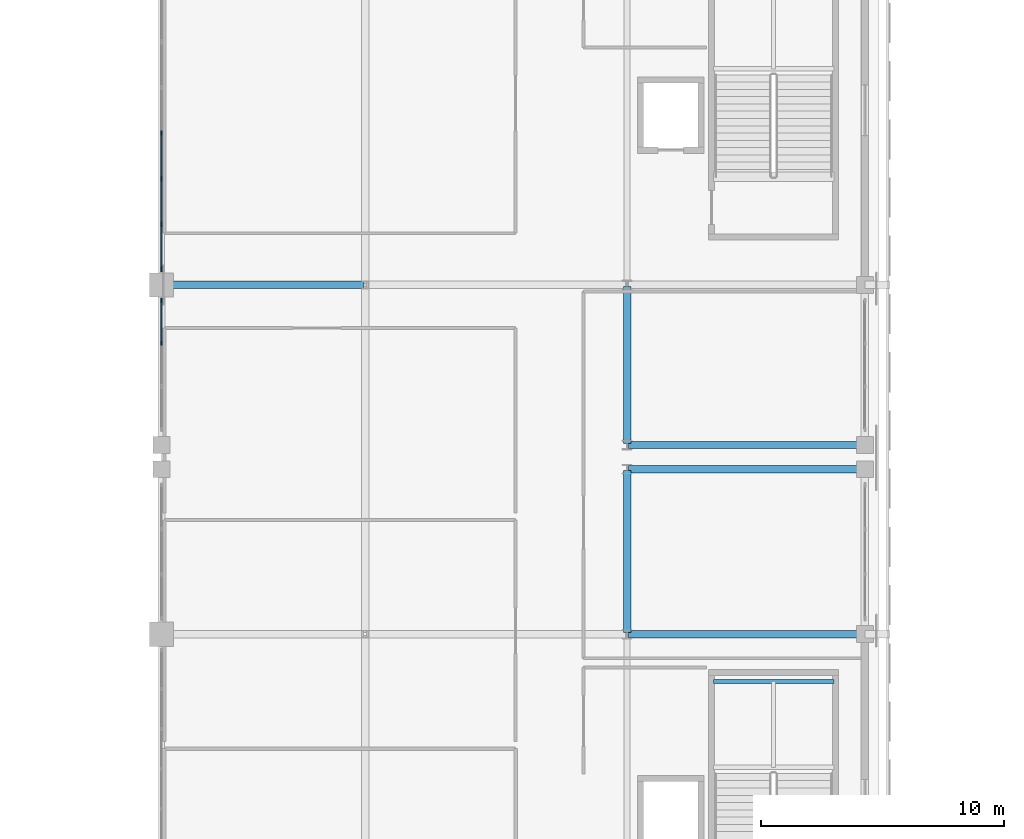
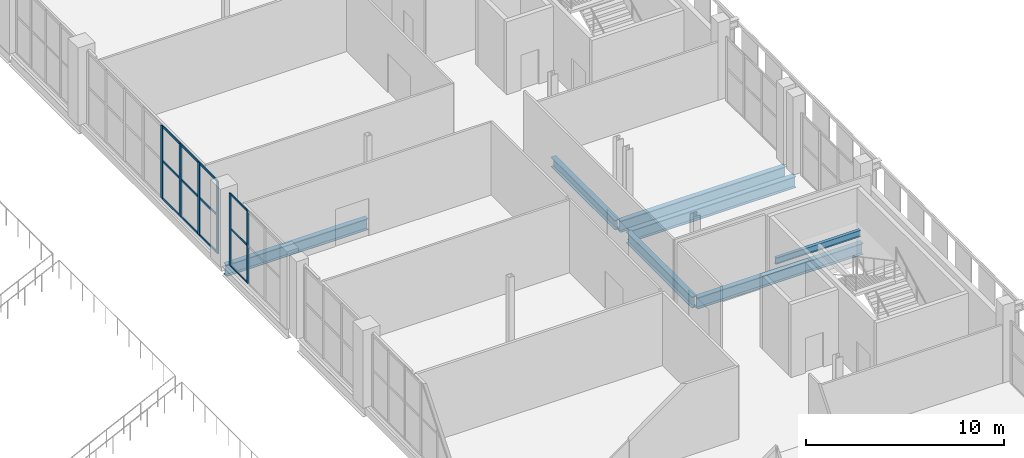
# One storey, part 42 of 104: 18 members, 7 beams, 2 elements without a shape of their own.
"""IFC4 building model written with IfcOpenShell, lengths in metres."""

from ifc_helpers import new_model, si_unit, direction, frame, origin, origin_2d, place, context, subcontext, project, spatial, rectangle, i_section, extrude, material, material_profile, profile_set, type_object, element, aggregate, save


model = new_model("IFC4")

# Units and contexts
model_context = context("Model", 3, precision=1e-05, world=origin(), true_north=direction((0.0, 1.0)))
body_context = subcontext(model_context, "Body", "Model", "MODEL_VIEW")
ifc_project = project(units=[si_unit("LENGTHUNIT", "METRE"), si_unit("AREAUNIT", "SQUARE_METRE"), si_unit("VOLUMEUNIT", "CUBIC_METRE"), si_unit("PLANEANGLEUNIT", "RADIAN"), si_unit("MASSUNIT", "GRAM", prefix="KILO")], contexts=[model_context])

# Site, building, storey
site_placement = place(None, origin())
site = spatial("IfcSite", under=ifc_project, at=site_placement, CompositionType="ELEMENT")
building_placement = place(site_placement, origin())
building = spatial("IfcBuilding", under=site, at=building_placement, Name="Koshinbarg Plaza Stadium", CompositionType="ELEMENT")
storey_placement = place(building_placement, frame((0.0, 0.0, 19.800048828125)))
storey = spatial("IfcBuildingStorey", under=building, at=storey_placement, Name="L04", CompositionType="ELEMENT", Elevation=19.800048828125)

# Beams
ifc_material_1 = material(Name="Steel S355", Category="steel")
ifc_material_profile_1 = material_profile(ifc_material_1, i_section(OverallWidth=0.179931640625, OverallDepth=0.39990234375, WebThickness=0.008544921875, FlangeThickness=0.013427734375, at=origin_2d()), Name="IPE 400")
ifc_profile_set_1 = profile_set([ifc_material_profile_1], Name="Steel S355")
beam_type_1 = type_object("IfcBeamType", Name="BM-SBM-01", PredefinedType="BEAM", material=ifc_profile_set_1)
beam_1_placement = place(storey_placement, frame((212.14990234375, 66.75, 1.8798828125), z_axis=(1.0, 0.0, 0.0), x_axis=(0.0, 1.0, 0.0)))
element("IfcBeam", 1, at=beam_1_placement, inside=storey, type_object=beam_type_1, Name="L04 Protected Exit Stair C08 landing trimmer beam 2", PredefinedType="BEAM", context=body_context, shape_type="SweptSolid", body=[
    extrude(i_section(OverallWidth=0.179931640625, OverallDepth=0.39990234375, WebThickness=0.008544921875, FlangeThickness=0.013427734375, at=origin_2d()), origin(), (0.0, 0.0, 1.0), 4.97021484375),
])
ifc_material_profile_2 = material_profile(ifc_material_1, i_section(OverallWidth=0.300048828125, OverallDepth=0.60009765625, WebThickness=0.015380859375, FlangeThickness=0.030029296875, at=origin_2d()), Name="HEB 600")
ifc_profile_set_2 = profile_set([ifc_material_profile_2], Name="Steel S355")
beam_type_2 = type_object("IfcBeamType", Name="BM-SGIR-02", PredefinedType="USERDEFINED", material=ifc_profile_set_2)
beam_2_placement = place(storey_placement, frame((208.60009765625, 76.56005859375, -0.60009765625), z_axis=(0.0, 1.0, 0.0), x_axis=(-1.0, 0.0, 0.0)))
element("IfcBeam", 2, at=beam_2_placement, inside=storey, type_object=beam_type_2, Name="L04 Y girder 20/L-M", ObjectType="GIRDER", PredefinedType="USERDEFINED", context=body_context, shape_type="SweptSolid", body=[
    extrude(i_section(OverallWidth=0.300048828125, OverallDepth=0.60009765625, WebThickness=0.015380859375, FlangeThickness=0.030029296875, at=origin_2d()), origin(), (0.0, 0.0, 1.0), 6.47998046875),
])
ifc_material_profile_3 = material_profile(ifc_material_1, i_section(OverallWidth=0.300048828125, OverallDepth=0.699951171875, WebThickness=0.01708984375, FlangeThickness=0.031982421875, at=origin_2d()), Name="HEB 700")
ifc_profile_set_3 = profile_set([ifc_material_profile_3], Name="Steel S355")
beam_type_3 = type_object("IfcBeamType", Name="BM-SGIR-03", PredefinedType="USERDEFINED", material=ifc_profile_set_3)
for number, where, z_axis, x_axis, name in (
    (3, (208.659912109375, 68.699951171875, -0.650146484375), (1.0, 0.0, 0.0), (0.0, 1.0, 0.0), "L04 X girder J/20-21"),
    (4, (208.659912109375, 75.5, -0.650146484375), (1.0, 0.0, 0.0), (0.0, 1.0, 0.0), "L04 X girder K/20-21"),
    (5, (208.659912109375, 76.5, -0.650146484375), (1.0, 0.0, 0.0), (0.0, 1.0, 0.0), "L04 X girder L/20-21"),
):
    element("IfcBeam", number, at=place(storey_placement, frame(where, z_axis=z_axis, x_axis=x_axis)), inside=storey, type_object=beam_type_3, Name=name, ObjectType="GIRDER", PredefinedType="USERDEFINED", context=body_context, shape_type="SweptSolid", body=[
        extrude(i_section(OverallWidth=0.300048828125, OverallDepth=0.699951171875, WebThickness=0.01708984375, FlangeThickness=0.031982421875, at=origin_2d()), origin(), (0.0, 0.0, 1.0), 9.68017578125),
    ])
beam_3_placement = place(storey_placement, frame((189.4599609375, 83.10009765625, -0.650146484375), z_axis=(1.0, 0.0, 0.0), x_axis=(0.0, 1.0, 0.0)))
element("IfcBeam", 6, at=beam_3_placement, inside=storey, type_object=beam_type_3, Name="L04 X girder M/18-19", ObjectType="GIRDER", PredefinedType="USERDEFINED", context=body_context, shape_type="SweptSolid", body=[
    extrude(i_section(OverallWidth=0.300048828125, OverallDepth=0.699951171875, WebThickness=0.01708984375, FlangeThickness=0.031982421875, at=origin_2d()), origin(), (0.0, 0.0, 1.0), 8.280029296875),
])
beam_4_placement = place(storey_placement, frame((208.60009765625, 68.760009765625, -0.650146484375), z_axis=(0.0, 1.0, 0.0), x_axis=(-1.0, 0.0, 0.0)))
element("IfcBeam", 7, at=beam_4_placement, inside=storey, type_object=beam_type_3, Name="L04 Y girder 20/J-K", ObjectType="GIRDER", PredefinedType="USERDEFINED", context=body_context, shape_type="SweptSolid", body=[
    extrude(i_section(OverallWidth=0.300048828125, OverallDepth=0.699951171875, WebThickness=0.01708984375, FlangeThickness=0.031982421875, at=origin_2d()), origin(), (0.0, 0.0, 1.0), 6.679931640625),
])

# Curtain wall, members
ifc_material_2 = material(Name="Thermally broken anodised aluminium and low-E double glazing", Category="aluminium")
curtain_wall_type_1 = type_object("IfcCurtainWallType", Name="CW-SYS-15", PredefinedType="NOTDEFINED", material=ifc_material_2)
curtain_wall_1_placement = place(storey_placement, origin())
curtain_wall_1 = element("IfcCurtainWall", 8, at=curtain_wall_1_placement, inside=storey, type_object=curtain_wall_type_1, Name="L04 unitised curtain wall CW-L04-126", PredefinedType="NOTDEFINED")
ifc_material_3 = material(Name="Anodised aluminium mullion", Category="aluminium")
ifc_material_profile_4 = material_profile(ifc_material_3, rectangle(XDim=0.070068359375, YDim=0.179931640625, at=origin_2d()), Name="ALU 70x180")
ifc_profile_set_4 = profile_set([ifc_material_profile_4], Name="Anodised aluminium mullion")
member_type_1 = type_object("IfcMemberType", Name="CW-MUL-03", PredefinedType="MULLION", material=ifc_profile_set_4)
member_1_placement = place(storey_placement, frame((189.39990234375, 80.693359375, 0.0), z_axis=(0.0, 0.0, 1.0), x_axis=(-1.0, 0.0, 0.0)))
member_1 = element("IfcMember", 9, at=member_1_placement, type_object=member_type_1, Name="CW15 mullion 3", PredefinedType="MULLION", context=body_context, shape_type="SweptSolid", body=[
    extrude(rectangle(XDim=0.070068359375, YDim=0.179931640625, at=origin_2d()), origin(), (0.0, 0.0, 1.0), 4.47998046875),
])
member_2_placement = place(storey_placement, frame((189.39990234375, 82.449951171875, 0.0), z_axis=(0.0, 0.0, 1.0), x_axis=(-1.0, 0.0, 0.0)))
member_2 = element("IfcMember", 10, at=member_2_placement, type_object=member_type_1, Name="CW15 mullion 4", PredefinedType="MULLION", context=body_context, shape_type="SweptSolid", body=[
    extrude(rectangle(XDim=0.070068359375, YDim=0.179931640625, at=origin_2d()), origin(), (0.0, 0.0, 1.0), 4.47998046875),
])

curtain_wall_type_2 = type_object("IfcCurtainWallType", Name="CW-SYS-16", PredefinedType="NOTDEFINED", material=ifc_material_2)
curtain_wall_2_placement = place(storey_placement, origin())
curtain_wall_2 = element("IfcCurtainWall", 11, at=curtain_wall_2_placement, inside=storey, type_object=curtain_wall_type_2, Name="L04 unitised curtain wall CW-L04-127", PredefinedType="NOTDEFINED")
ifc_material_profile_5 = material_profile(ifc_material_3, rectangle(XDim=0.070068359375, YDim=0.199951171875, at=origin_2d()), Name="ALU 70x200")
ifc_profile_set_5 = profile_set([ifc_material_profile_5], Name="Anodised aluminium mullion")
member_type_2 = type_object("IfcMemberType", Name="CW-MUL-04", PredefinedType="MULLION", material=ifc_profile_set_5)
member_3_placement = place(storey_placement, frame((189.39990234375, 83.75, 0.0), z_axis=(0.0, 0.0, 1.0), x_axis=(-1.0, 0.0, 0.0)))
member_3 = element("IfcMember", 12, at=member_3_placement, type_object=member_type_2, Name="CW16 mullion 1", PredefinedType="MULLION", context=body_context, shape_type="SweptSolid", body=[
    extrude(rectangle(XDim=0.070068359375, YDim=0.199951171875, at=origin_2d()), origin(), (0.0, 0.0, 1.0), 4.47998046875),
])
member_4_placement = place(storey_placement, frame((189.39990234375, 85.60009765625, 0.0), z_axis=(0.0, 0.0, 1.0), x_axis=(-1.0, 0.0, 0.0)))
member_4 = element("IfcMember", 13, at=member_4_placement, type_object=member_type_2, Name="CW16 mullion 2", PredefinedType="MULLION", context=body_context, shape_type="SweptSolid", body=[
    extrude(rectangle(XDim=0.070068359375, YDim=0.199951171875, at=origin_2d()), origin(), (0.0, 0.0, 1.0), 4.47998046875),
])
member_5_placement = place(storey_placement, frame((189.39990234375, 87.47998046875, 0.0), z_axis=(0.0, 0.0, 1.0), x_axis=(-1.0, 0.0, 0.0)))
member_5 = element("IfcMember", 14, at=member_5_placement, type_object=member_type_2, Name="CW16 mullion 3", PredefinedType="MULLION", context=body_context, shape_type="SweptSolid", body=[
    extrude(rectangle(XDim=0.070068359375, YDim=0.199951171875, at=origin_2d()), origin(), (0.0, 0.0, 1.0), 4.47998046875),
])
member_6_placement = place(storey_placement, frame((189.39990234375, 89.360107421875, 0.0), z_axis=(0.0, 0.0, 1.0), x_axis=(-1.0, 0.0, 0.0)))
member_6 = element("IfcMember", 15, at=member_6_placement, type_object=member_type_2, Name="CW16 mullion 4", PredefinedType="MULLION", context=body_context, shape_type="SweptSolid", body=[
    extrude(rectangle(XDim=0.070068359375, YDim=0.199951171875, at=origin_2d()), origin(), (0.0, 0.0, 1.0), 4.47998046875),
])

# Member
ifc_material_4 = material(Name="Anodised aluminium transom", Category="aluminium")
ifc_material_profile_6 = material_profile(ifc_material_4, rectangle(XDim=0.06005859375, YDim=0.110107421875, at=origin_2d()), Name="ALU 60x110")
ifc_profile_set_6 = profile_set([ifc_material_profile_6], Name="Anodised aluminium transom")
member_type_3 = type_object("IfcMemberType", Name="CW-TRN-01", PredefinedType="USERDEFINED", material=ifc_profile_set_6)
member_7_placement = place(storey_placement, frame((189.39990234375, 80.723388671875, 0.030029296875), z_axis=(0.0, 1.0, 0.0), x_axis=(-1.0, 0.0, 0.0)))
member_7 = element("IfcMember", 16, at=member_7_placement, type_object=member_type_3, Name="CW15 transom 3.1", ObjectType="TRANSOM", PredefinedType="USERDEFINED", context=body_context, shape_type="SweptSolid", body=[
    extrude(rectangle(XDim=0.06005859375, YDim=0.110107421875, at=origin_2d()), origin(), (0.0, 0.0, 1.0), 1.696533203125),
])

member_8_placement = place(storey_placement, frame((189.39990234375, 80.723388671875, 2.32958984375), z_axis=(0.0, 1.0, 0.0), x_axis=(-1.0, 0.0, 0.0)))
member_8 = element("IfcMember", 17, at=member_8_placement, type_object=member_type_3, Name="CW15 transom 3.2", ObjectType="TRANSOM", PredefinedType="USERDEFINED", context=body_context, shape_type="SweptSolid", body=[
    extrude(rectangle(XDim=0.06005859375, YDim=0.110107421875, at=origin_2d()), origin(), (0.0, 0.0, 1.0), 1.696533203125),
])

member_9_placement = place(storey_placement, frame((189.39990234375, 80.723388671875, 4.449951171875), z_axis=(0.0, 1.0, 0.0), x_axis=(-1.0, 0.0, 0.0)))
member_9 = element("IfcMember", 18, at=member_9_placement, type_object=member_type_3, Name="CW15 transom 3.3", ObjectType="TRANSOM", PredefinedType="USERDEFINED", context=body_context, shape_type="SweptSolid", body=[
    extrude(rectangle(XDim=0.06005859375, YDim=0.110107421875, at=origin_2d()), origin(), (0.0, 0.0, 1.0), 1.696533203125),
])

aggregate(curtain_wall_1, [member_1, member_2, member_7, member_8, member_9])

ifc_material_profile_7 = material_profile(ifc_material_4, rectangle(XDim=0.06005859375, YDim=0.1298828125, at=origin_2d()), Name="ALU 60x130")
ifc_profile_set_7 = profile_set([ifc_material_profile_7], Name="Anodised aluminium transom")
member_type_4 = type_object("IfcMemberType", Name="CW-TRN-02", PredefinedType="USERDEFINED", material=ifc_profile_set_7)
member_10_placement = place(storey_placement, frame((189.39990234375, 83.780029296875, 0.030029296875), z_axis=(0.0, 1.0, 0.0), x_axis=(-1.0, 0.0, 0.0)))
member_10 = element("IfcMember", 19, at=member_10_placement, type_object=member_type_4, Name="CW16 transom 1.1", ObjectType="TRANSOM", PredefinedType="USERDEFINED", context=body_context, shape_type="SweptSolid", body=[
    extrude(rectangle(XDim=0.06005859375, YDim=0.1298828125, at=origin_2d()), origin(), (0.0, 0.0, 1.0), 1.7900390625),
])

member_11_placement = place(storey_placement, frame((189.39990234375, 83.780029296875, 2.32958984375), z_axis=(0.0, 1.0, 0.0), x_axis=(-1.0, 0.0, 0.0)))
member_11 = element("IfcMember", 20, at=member_11_placement, type_object=member_type_4, Name="CW16 transom 1.2", ObjectType="TRANSOM", PredefinedType="USERDEFINED", context=body_context, shape_type="SweptSolid", body=[
    extrude(rectangle(XDim=0.06005859375, YDim=0.1298828125, at=origin_2d()), origin(), (0.0, 0.0, 1.0), 1.7900390625),
])

member_12_placement = place(storey_placement, frame((189.39990234375, 83.780029296875, 4.449951171875), z_axis=(0.0, 1.0, 0.0), x_axis=(-1.0, 0.0, 0.0)))
member_12 = element("IfcMember", 21, at=member_12_placement, type_object=member_type_4, Name="CW16 transom 1.3", ObjectType="TRANSOM", PredefinedType="USERDEFINED", context=body_context, shape_type="SweptSolid", body=[
    extrude(rectangle(XDim=0.06005859375, YDim=0.1298828125, at=origin_2d()), origin(), (0.0, 0.0, 1.0), 1.7900390625),
])

member_13_placement = place(storey_placement, frame((189.39990234375, 85.6298828125, 0.030029296875), z_axis=(0.0, 1.0, 0.0), x_axis=(-1.0, 0.0, 0.0)))
member_13 = element("IfcMember", 22, at=member_13_placement, type_object=member_type_4, Name="CW16 transom 2.1", ObjectType="TRANSOM", PredefinedType="USERDEFINED", context=body_context, shape_type="SweptSolid", body=[
    extrude(rectangle(XDim=0.06005859375, YDim=0.1298828125, at=origin_2d()), origin(), (0.0, 0.0, 1.0), 1.820068359375),
])

member_14_placement = place(storey_placement, frame((189.39990234375, 85.6298828125, 2.32958984375), z_axis=(0.0, 1.0, 0.0), x_axis=(-1.0, 0.0, 0.0)))
member_14 = element("IfcMember", 23, at=member_14_placement, type_object=member_type_4, Name="CW16 transom 2.2", ObjectType="TRANSOM", PredefinedType="USERDEFINED", context=body_context, shape_type="SweptSolid", body=[
    extrude(rectangle(XDim=0.06005859375, YDim=0.1298828125, at=origin_2d()), origin(), (0.0, 0.0, 1.0), 1.820068359375),
])

member_15_placement = place(storey_placement, frame((189.39990234375, 85.6298828125, 4.449951171875), z_axis=(0.0, 1.0, 0.0), x_axis=(-1.0, 0.0, 0.0)))
member_15 = element("IfcMember", 24, at=member_15_placement, type_object=member_type_4, Name="CW16 transom 2.3", ObjectType="TRANSOM", PredefinedType="USERDEFINED", context=body_context, shape_type="SweptSolid", body=[
    extrude(rectangle(XDim=0.06005859375, YDim=0.1298828125, at=origin_2d()), origin(), (0.0, 0.0, 1.0), 1.820068359375),
])

member_16_placement = place(storey_placement, frame((189.39990234375, 87.510009765625, 0.030029296875), z_axis=(0.0, 1.0, 0.0), x_axis=(-1.0, 0.0, 0.0)))
member_16 = element("IfcMember", 25, at=member_16_placement, type_object=member_type_4, Name="CW16 transom 3.1", ObjectType="TRANSOM", PredefinedType="USERDEFINED", context=body_context, shape_type="SweptSolid", body=[
    extrude(rectangle(XDim=0.06005859375, YDim=0.1298828125, at=origin_2d()), origin(), (0.0, 0.0, 1.0), 1.820068359375),
])

member_17_placement = place(storey_placement, frame((189.39990234375, 87.510009765625, 2.32958984375), z_axis=(0.0, 1.0, 0.0), x_axis=(-1.0, 0.0, 0.0)))
member_17 = element("IfcMember", 26, at=member_17_placement, type_object=member_type_4, Name="CW16 transom 3.2", ObjectType="TRANSOM", PredefinedType="USERDEFINED", context=body_context, shape_type="SweptSolid", body=[
    extrude(rectangle(XDim=0.06005859375, YDim=0.1298828125, at=origin_2d()), origin(), (0.0, 0.0, 1.0), 1.820068359375),
])

member_18_placement = place(storey_placement, frame((189.39990234375, 87.510009765625, 4.449951171875), z_axis=(0.0, 1.0, 0.0), x_axis=(-1.0, 0.0, 0.0)))
member_18 = element("IfcMember", 27, at=member_18_placement, type_object=member_type_4, Name="CW16 transom 3.3", ObjectType="TRANSOM", PredefinedType="USERDEFINED", context=body_context, shape_type="SweptSolid", body=[
    extrude(rectangle(XDim=0.06005859375, YDim=0.1298828125, at=origin_2d()), origin(), (0.0, 0.0, 1.0), 1.820068359375),
])

aggregate(curtain_wall_2, [member_3, member_4, member_5, member_6, member_10, member_11, member_12, member_13, member_14, member_15, member_16, member_17, member_18])

save(model, "model.ifc")
